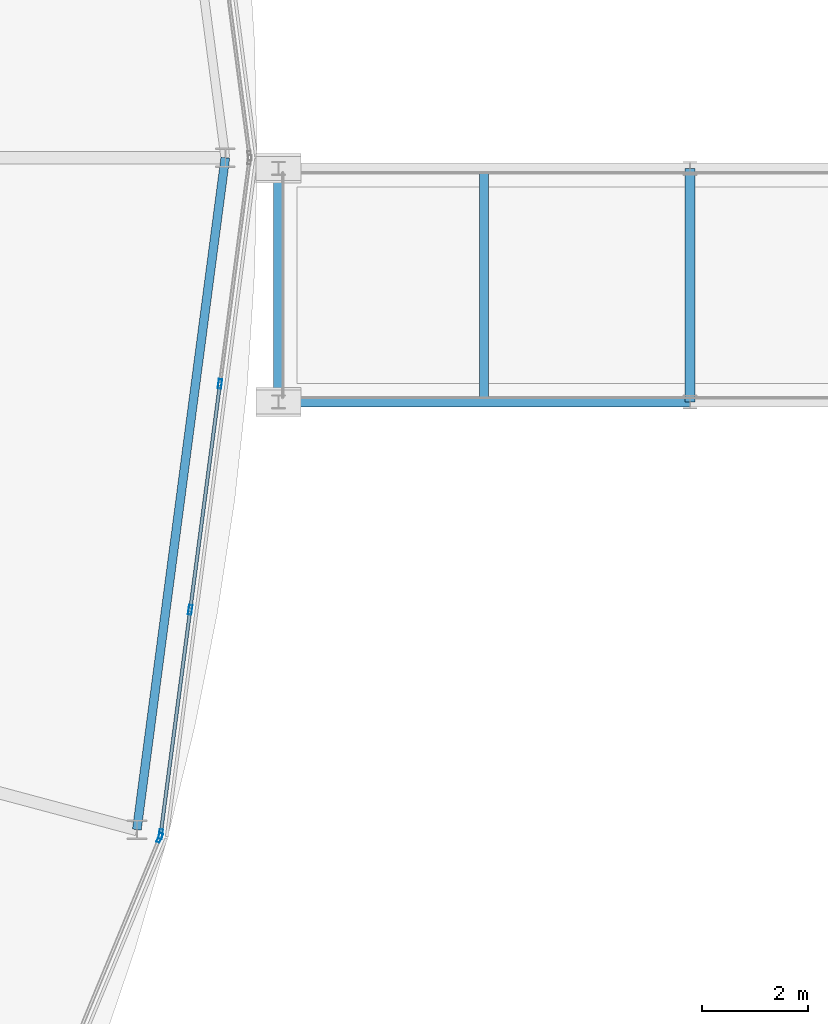
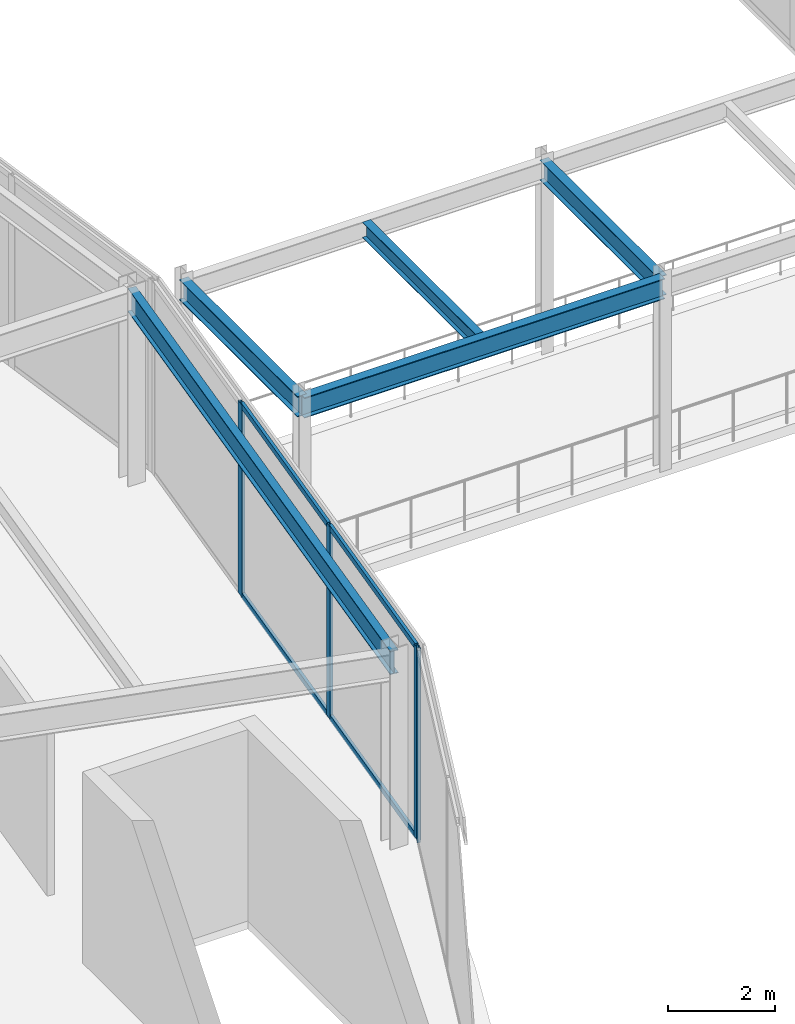
# One storey, part 94 of 157: 8 members, 5 beams, 2 elements without a shape of their own.
"""IFC4 building model written with IfcOpenShell, lengths in metres."""

from ifc_helpers import new_model, si_unit, direction, frame, origin, origin_2d, place, context, subcontext, project, spatial, hollow_rectangle, i_section, extrude, material, material_profile, profile_set, type_object, element, aggregate, save


model = new_model("IFC4")

# Units and contexts
model_context = context("Model", 3, precision=1e-05, world=origin(), true_north=direction((0.0, 1.0)))
body_context = subcontext(model_context, "Body", "Model", "MODEL_VIEW")
ifc_project = project(units=[si_unit("LENGTHUNIT", "METRE"), si_unit("AREAUNIT", "SQUARE_METRE"), si_unit("VOLUMEUNIT", "CUBIC_METRE"), si_unit("PLANEANGLEUNIT", "RADIAN"), si_unit("MASSUNIT", "GRAM", prefix="KILO")], contexts=[model_context])

# Site, building, storey
site_placement = place(None, origin())
site = spatial("IfcSite", under=ifc_project, at=site_placement, CompositionType="ELEMENT")
building_placement = place(site_placement, origin())
building = spatial("IfcBuilding", under=site, at=building_placement, Name="Almandine Court Research Institute", CompositionType="ELEMENT")
storey_placement = place(building_placement, frame((0.0, 0.0, 5.25)))
storey = spatial("IfcBuildingStorey", under=building, at=storey_placement, Name="L01", CompositionType="ELEMENT", Elevation=5.25)

# Beams
ifc_material_1 = material(Name="Steel ASTM A992 Grade 50", Category="steel")
ifc_material_profile_1 = material_profile(ifc_material_1, i_section(OverallWidth=0.18994140625, OverallDepth=0.45703125, WebThickness=0.009033203125, FlangeThickness=0.014892578125, at=origin_2d()), Name="W460x74")
ifc_profile_set_1 = profile_set([ifc_material_profile_1], Name="Steel ASTM A992 Grade 50")
beam_type_1 = type_object("IfcBeamType", Name="Beam-B-01", PredefinedType="BEAM", material=ifc_profile_set_1)
beam_1_placement = place(storey_placement, frame((144.64990234375, 51.39990234375, 4.12109375), z_axis=(0.0, 1.0, 0.0), x_axis=(-1.0, 0.0, 0.0)))
element("IfcBeam", 1, at=beam_1_placement, inside=storey, type_object=beam_type_1, Name="L01 DAL-E Primary Y Girder", PredefinedType="BEAM", context=body_context, shape_type="SweptSolid", body=[
    extrude(i_section(OverallWidth=0.18994140625, OverallDepth=0.45703125, WebThickness=0.009033203125, FlangeThickness=0.014892578125, at=origin_2d()), origin(), (0.0, 0.0, 1.0), 4.400146484375),
])
ifc_material_profile_2 = material_profile(ifc_material_1, i_section(OverallWidth=0.172119140625, OverallDepth=0.35791015625, WebThickness=0.008056640625, FlangeThickness=0.012939453125, at=origin_2d()), Name="W360x57")
ifc_profile_set_2 = profile_set([ifc_material_profile_2], Name="Steel ASTM A992 Grade 50")
beam_type_2 = type_object("IfcBeamType", Name="Beam-B-03", PredefinedType="JOIST", material=ifc_profile_set_2)
beam_2_placement = place(storey_placement, frame((140.77490234375, 51.493896484375, 4.1708984375), z_axis=(0.0, 1.0, 0.0), x_axis=(-1.0, 0.0, 0.0)))
element("IfcBeam", 2, at=beam_2_placement, inside=storey, type_object=beam_type_2, Name="L01 DAL-E Composite Secondary Beam", PredefinedType="JOIST", context=body_context, shape_type="SweptSolid", body=[
    extrude(i_section(OverallWidth=0.172119140625, OverallDepth=0.35791015625, WebThickness=0.008056640625, FlangeThickness=0.012939453125, at=origin_2d()), origin(), (0.0, 0.0, 1.0), 4.212158203125),
])
ifc_material_profile_3 = material_profile(ifc_material_1, i_section(OverallWidth=0.166015625, OverallDepth=0.534912109375, WebThickness=0.010009765625, FlangeThickness=0.01708984375, at=origin_2d()), Name="W530x85")
ifc_profile_set_3 = profile_set([ifc_material_profile_3], Name="Steel ASTM A992 Grade 50")
beam_type_3 = type_object("IfcBeamType", Name="Beam-G-05-E", PredefinedType="SPANDREL", material=ifc_profile_set_3)
beam_3_placement = place(storey_placement, frame((134.23388671875, 43.343994140625, 4.10205078125), z_axis=(0.130512396599, 0.991446677504, 0.0), x_axis=(-0.991446677504, 0.130512396599, 0.0)))
element("IfcBeam", 3, at=beam_3_placement, inside=storey, type_object=beam_type_3, Name="L01 Drum OUT Ring Beam 23", PredefinedType="SPANDREL", context=body_context, shape_type="SweptSolid", body=[
    extrude(i_section(OverallWidth=0.166015625, OverallDepth=0.534912109375, WebThickness=0.010009765625, FlangeThickness=0.01708984375, at=origin_2d()), origin(), (0.0, 0.0, 1.0), 12.76513671875),
])
ifc_material_profile_4 = material_profile(ifc_material_1, i_section(OverallWidth=0.193115234375, OverallDepth=0.466064453125, WebThickness=0.010986328125, FlangeThickness=0.01904296875, at=origin_2d()), Name="W460x97")
ifc_profile_set_4 = profile_set([ifc_material_profile_4], Name="Steel ASTM A992 Grade 50")
beam_type_4 = type_object("IfcBeamType", Name="Beam-G-06-E", PredefinedType="SPANDREL", material=ifc_profile_set_4)
beam_4_placement = place(storey_placement, frame((136.89990234375, 51.39990234375, 4.116943359375), z_axis=(1.0, 0.0, 0.0), x_axis=(0.0, 1.0, 0.0)))
element("IfcBeam", 4, at=beam_4_placement, inside=storey, type_object=beam_type_4, Name="L01 DAL-E Primary X Girder", PredefinedType="SPANDREL", context=body_context, shape_type="SweptSolid", body=[
    extrude(i_section(OverallWidth=0.193115234375, OverallDepth=0.466064453125, WebThickness=0.010986328125, FlangeThickness=0.01904296875, at=origin_2d()), origin(), (0.0, 0.0, 1.0), 7.75),
])
beam_5_placement = place(storey_placement, frame((136.89990234375, 51.39990234375, 4.116943359375), z_axis=(0.0, 1.0, 0.0), x_axis=(-1.0, 0.0, 0.0)))
element("IfcBeam", 5, at=beam_5_placement, inside=storey, type_object=beam_type_4, Name="L01 DAL-E Primary Y Girder", PredefinedType="SPANDREL", context=body_context, shape_type="SweptSolid", body=[
    extrude(i_section(OverallWidth=0.193115234375, OverallDepth=0.466064453125, WebThickness=0.010986328125, FlangeThickness=0.01904296875, at=origin_2d()), origin(), (0.0, 0.0, 1.0), 4.400146484375),
])

# Curtain wall, member
ifc_material_2 = material(Name="Unitised Curtain Wall Framing and Solar Glazing", Category="glass")
curtain_wall_type = type_object("IfcCurtainWallType", Name="CW-CWJ-19", PredefinedType="USERDEFINED", material=ifc_material_2)
curtain_wall_1_placement = place(storey_placement, origin())
curtain_wall_1 = element("IfcCurtainWall", 6, at=curtain_wall_1_placement, inside=storey, type_object=curtain_wall_type, Name="L01 Stacked-Ring Drum Outer Solar Jali Screen 22", ObjectType="SOLAR JALI SCREEN", PredefinedType="USERDEFINED")
ifc_material_3 = material(Name="Anodised Aluminium AW-6063-T6", Category="aluminium")
ifc_material_profile_5 = material_profile(ifc_material_3, hollow_rectangle(XDim=0.06494140625, YDim=0.179931640625, WallThickness=0.00390625, at=origin_2d()), Name="ALU RHS 65x180x4")
ifc_profile_set_5 = profile_set([ifc_material_profile_5], Name="Anodised Aluminium AW-6063-T6")
member_type_1 = type_object("IfcMemberType", Name="CWMul-65x180", PredefinedType="MULLION", material=ifc_profile_set_5)
member_1_placement = place(storey_placement, frame((134.66455078125, 43.19091796875, 0.0), z_axis=(0.0, 0.0, 1.0), x_axis=(0.923888124321, -0.382662689242, 0.0)))
member_1 = element("IfcMember", 7, at=member_1_placement, type_object=member_type_1, Name="CWJ-19 mullion 1", PredefinedType="MULLION", context=body_context, shape_type="SweptSolid", body=[
    extrude(hollow_rectangle(XDim=0.06494140625, YDim=0.179931640625, WallThickness=0.00390625, at=origin_2d()), origin(), (0.0, 0.0, 1.0), 4.3701171875),
])
aggregate(curtain_wall_1, [member_1])

# Curtain wall, members
curtain_wall_2_placement = place(storey_placement, origin())
curtain_wall_2 = element("IfcCurtainWall", 8, at=curtain_wall_2_placement, inside=storey, type_object=curtain_wall_type, Name="L01 Stacked-Ring Drum Outer Solar Jali Screen 23", ObjectType="SOLAR JALI SCREEN", PredefinedType="USERDEFINED")
member_2_placement = place(storey_placement, frame((135.799560546875, 51.740234375, 0.0), z_axis=(0.0, 0.0, 1.0), x_axis=(0.991442926098, -0.130540891259, 0.0)))
member_2 = element("IfcMember", 9, at=member_2_placement, type_object=member_type_1, Name="CWJ-19 mullion 2", PredefinedType="MULLION", context=body_context, shape_type="SweptSolid", body=[
    extrude(hollow_rectangle(XDim=0.06494140625, YDim=0.179931640625, WallThickness=0.00390625, at=origin_2d()), origin(), (0.0, 0.0, 1.0), 4.3701171875),
])
member_3_placement = place(storey_placement, frame((135.2392578125, 47.484619140625, 0.0), z_axis=(0.0, 0.0, 1.0), x_axis=(0.991442926098, -0.130540891259, 0.0)))
member_3 = element("IfcMember", 10, at=member_3_placement, type_object=member_type_1, Name="CWJ-19 mullion 3", PredefinedType="MULLION", context=body_context, shape_type="SweptSolid", body=[
    extrude(hollow_rectangle(XDim=0.06494140625, YDim=0.179931640625, WallThickness=0.00390625, at=origin_2d()), origin(), (0.0, 0.0, 1.0), 4.3701171875),
])
member_4_placement = place(storey_placement, frame((134.683349609375, 43.26123046875, 0.0), z_axis=(0.0, 0.0, 1.0), x_axis=(0.991442926098, -0.130540891259, 0.0)))
member_4 = element("IfcMember", 11, at=member_4_placement, type_object=member_type_1, Name="CWJ-19 mullion 4", PredefinedType="MULLION", context=body_context, shape_type="SweptSolid", body=[
    extrude(hollow_rectangle(XDim=0.06494140625, YDim=0.179931640625, WallThickness=0.00390625, at=origin_2d()), origin(), (0.0, 0.0, 1.0), 4.3701171875),
])
ifc_material_profile_6 = material_profile(ifc_material_3, hollow_rectangle(XDim=0.06494140625, YDim=0.1298828125, WallThickness=0.00390625, at=origin_2d()), Name="ALU RHS 65x130x4")
ifc_profile_set_6 = profile_set([ifc_material_profile_6], Name="Anodised Aluminium AW-6063-T6")
member_type_2 = type_object("IfcMemberType", Name="CWTrn-65x130", PredefinedType="NOTDEFINED", material=ifc_profile_set_6)
member_5_placement = place(storey_placement, frame((135.79541015625, 51.7080078125, 0.032470703125), z_axis=(-0.130521740045, -0.991445447504, 0.0), x_axis=(0.991445447504, -0.130521740045, 0.0)))
member_5 = element("IfcMember", 12, at=member_5_placement, type_object=member_type_2, Name="CWJ-19 transom 2.1", ObjectType="TRANSOM", PredefinedType="USERDEFINED", context=body_context, shape_type="SweptSolid", body=[
    extrude(hollow_rectangle(XDim=0.06494140625, YDim=0.1298828125, WallThickness=0.00390625, at=origin_2d()), origin(), (0.0, 0.0, 1.0), 4.227294921875),
])
member_6_placement = place(storey_placement, frame((135.79541015625, 51.7080078125, 4.33740234375), z_axis=(-0.130521740045, -0.991445447504, 0.0), x_axis=(0.991445447504, -0.130521740045, 0.0)))
member_6 = element("IfcMember", 13, at=member_6_placement, type_object=member_type_2, Name="CWJ-19 transom 2.2", ObjectType="TRANSOM", PredefinedType="USERDEFINED", context=body_context, shape_type="SweptSolid", body=[
    extrude(hollow_rectangle(XDim=0.06494140625, YDim=0.1298828125, WallThickness=0.00390625, at=origin_2d()), origin(), (0.0, 0.0, 1.0), 4.227294921875),
])
member_7_placement = place(storey_placement, frame((135.235107421875, 47.452392578125, 0.032470703125), z_axis=(-0.130543337873, -0.991442603955, 0.0), x_axis=(0.991442603955, -0.130543337873, 0.0)))
member_7 = element("IfcMember", 14, at=member_7_placement, type_object=member_type_2, Name="CWJ-19 transom 3.1", ObjectType="TRANSOM", PredefinedType="USERDEFINED", context=body_context, shape_type="SweptSolid", body=[
    extrude(hollow_rectangle(XDim=0.06494140625, YDim=0.1298828125, WallThickness=0.00390625, at=origin_2d()), origin(), (0.0, 0.0, 1.0), 4.19482421875),
])
member_8_placement = place(storey_placement, frame((135.235107421875, 47.452392578125, 4.33740234375), z_axis=(-0.130543337873, -0.991442603955, 0.0), x_axis=(0.991442603955, -0.130543337873, 0.0)))
member_8 = element("IfcMember", 15, at=member_8_placement, type_object=member_type_2, Name="CWJ-19 transom 3.2", ObjectType="TRANSOM", PredefinedType="USERDEFINED", context=body_context, shape_type="SweptSolid", body=[
    extrude(hollow_rectangle(XDim=0.06494140625, YDim=0.1298828125, WallThickness=0.00390625, at=origin_2d()), origin(), (0.0, 0.0, 1.0), 4.19482421875),
])
aggregate(curtain_wall_2, [member_2, member_3, member_4, member_5, member_6, member_7, member_8])

save(model, "model.ifc")
